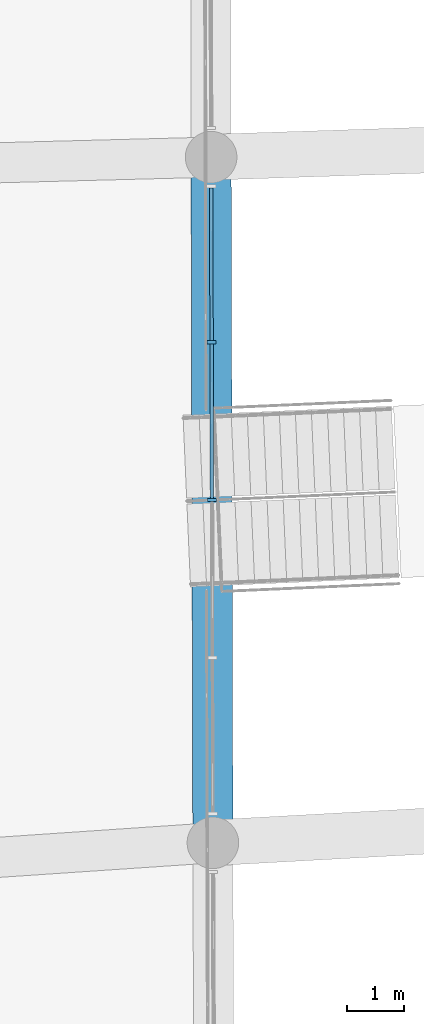
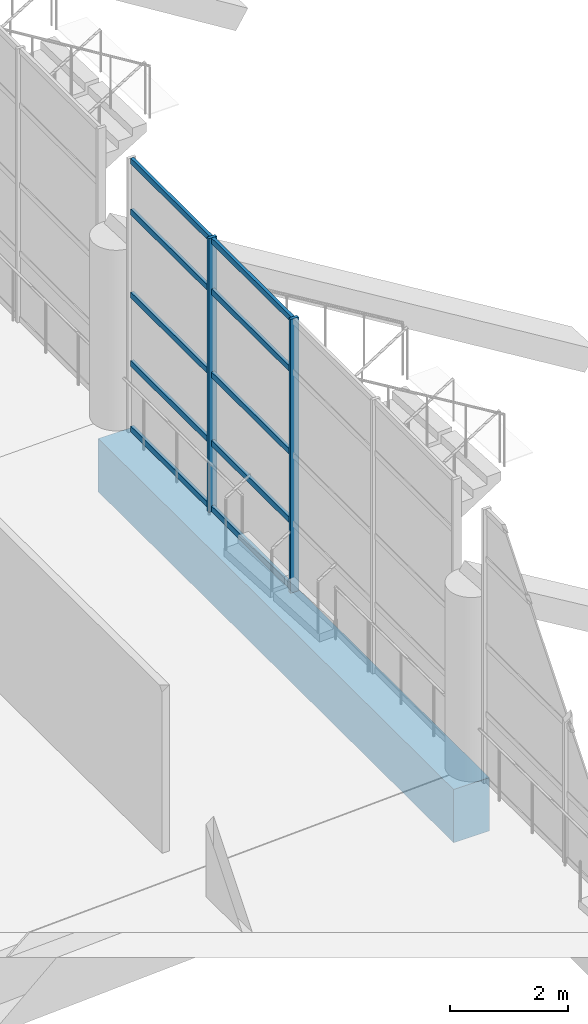
# One storey, part 8 of 173: 12 members, 1 beam, 1 element without a shape of its own.
"""IFC4 building model written with IfcOpenShell, lengths in metres."""

from ifc_helpers import new_model, si_unit, direction, frame, origin, origin_2d, place, context, subcontext, project, spatial, rectangle, extrude, material, layer, layer_set, material_profile, profile_set, type_object, element, aggregate, save


model = new_model("IFC4")

# Units and contexts
model_context = context("Model", 3, precision=1e-05, world=origin(), true_north=direction((0.0, 1.0)))
body_context = subcontext(model_context, "Body", "Model", "MODEL_VIEW")
ifc_project = project(units=[si_unit("LENGTHUNIT", "METRE"), si_unit("AREAUNIT", "SQUARE_METRE"), si_unit("VOLUMEUNIT", "CUBIC_METRE"), si_unit("PLANEANGLEUNIT", "RADIAN"), si_unit("MASSUNIT", "GRAM", prefix="KILO")], contexts=[model_context])

# Site, building, storey
site_placement = place(None, origin())
site = spatial("IfcSite", under=ifc_project, at=site_placement, CompositionType="ELEMENT")
building_placement = place(site_placement, origin())
building = spatial("IfcBuilding", under=site, at=building_placement, Name="Meseta Stadium", CompositionType="ELEMENT")
storey_placement = place(building_placement, frame((0.0, 0.0, 18.0)))
storey = spatial("IfcBuildingStorey", under=building, at=storey_placement, Name="L03", CompositionType="ELEMENT", Elevation=18.0)

# Curtain wall, members
ifc_material_1 = material(Name="Aluminium", Category="aluminium")
ifc_layer = layer(ifc_material_1, 0.25)
ifc_layer_set = layer_set([ifc_layer], Name="Media Centre glazing curtain wall")
curtain_wall_type = type_object("IfcCurtainWallType", Name="Media Centre glazing curtain wall", PredefinedType="NOTDEFINED", material=ifc_layer_set)
curtain_wall_placement = place(storey_placement, origin())
curtain_wall = element("IfcCurtainWall", 1, at=curtain_wall_placement, inside=storey, type_object=curtain_wall_type, Name="Media Centre glazing bay 34", PredefinedType="NOTDEFINED")
ifc_material_2 = material(Name="Aluminium", Category="aluminium")
ifc_material_profile_1 = material_profile(ifc_material_2, rectangle(XDim=0.159912109375, YDim=0.06005859375, at=origin_2d()), Name="CW 160x60")
ifc_profile_set_1 = profile_set([ifc_material_profile_1], Name="Aluminium")
member_type_1 = type_object("IfcMemberType", Name="CW mullion 60x160", PredefinedType="MULLION", material=ifc_profile_set_1)
member_1_placement = place(storey_placement, frame((-73.47412109375, -21.173095703125, 0.0), z_axis=(0.0, 0.0, 1.0), x_axis=(0.999996605564, 0.002605544184, 0.0)))
member_1 = element("IfcMember", 2, at=member_1_placement, type_object=member_type_1, Name="CWM mullion 2", PredefinedType="MULLION", context=body_context, shape_type="SweptSolid", body=[
    extrude(rectangle(XDim=0.159912109375, YDim=0.06005859375, at=origin_2d()), origin(), (0.0, 0.0, 1.0), 5.64990234375),
])
member_2_placement = place(storey_placement, frame((-73.466796875, -23.923583984375, 0.0), z_axis=(0.0, 0.0, 1.0), x_axis=(0.999996605564, 0.002605544184, 0.0)))
member_2 = element("IfcMember", 3, at=member_2_placement, type_object=member_type_1, Name="CWM mullion 3", PredefinedType="MULLION", context=body_context, shape_type="SweptSolid", body=[
    extrude(rectangle(XDim=0.159912109375, YDim=0.06005859375, at=origin_2d()), origin(), (0.0, 0.0, 1.0), 5.64990234375),
])
ifc_material_3 = material(Name="Aluminium", Category="aluminium")
ifc_material_profile_2 = material_profile(ifc_material_3, rectangle(XDim=0.06005859375, YDim=0.1201171875, at=origin_2d()), Name="CW 60x120")
ifc_profile_set_2 = profile_set([ifc_material_profile_2], Name="Aluminium")
member_type_2 = type_object("IfcMemberType", Name="CW transom 60x120", PredefinedType="USERDEFINED", material=ifc_profile_set_2)
member_3_placement = place(storey_placement, frame((-73.48095703125, -18.482666015625, 0.06005859375), z_axis=(0.002569506063, -0.999996698814, 0.0), x_axis=(0.999996698814, 0.002569506063, 0.0)))
member_3 = element("IfcMember", 4, at=member_3_placement, type_object=member_type_2, Name="CWM transom 1.1", ObjectType="TRANSOM", PredefinedType="USERDEFINED", context=body_context, shape_type="SweptSolid", body=[
    extrude(rectangle(XDim=0.06005859375, YDim=0.1201171875, at=origin_2d()), origin(), (0.0, 0.0, 1.0), 2.660400390625),
])
member_4_placement = place(storey_placement, frame((-73.48095703125, -18.482666015625, 1.41259765625), z_axis=(0.002569506063, -0.999996698814, 0.0), x_axis=(0.999996698814, 0.002569506063, 0.0)))
member_4 = element("IfcMember", 5, at=member_4_placement, type_object=member_type_2, Name="CWM transom 1.2", ObjectType="TRANSOM", PredefinedType="USERDEFINED", context=body_context, shape_type="SweptSolid", body=[
    extrude(rectangle(XDim=0.06005859375, YDim=0.1201171875, at=origin_2d()), origin(), (0.0, 0.0, 1.0), 2.660400390625),
])
member_5_placement = place(storey_placement, frame((-73.48095703125, -18.482666015625, 2.824951171875), z_axis=(0.002569506063, -0.999996698814, 0.0), x_axis=(0.999996698814, 0.002569506063, 0.0)))
member_5 = element("IfcMember", 6, at=member_5_placement, type_object=member_type_2, Name="CWM transom 1.3", ObjectType="TRANSOM", PredefinedType="USERDEFINED", context=body_context, shape_type="SweptSolid", body=[
    extrude(rectangle(XDim=0.06005859375, YDim=0.1201171875, at=origin_2d()), origin(), (0.0, 0.0, 1.0), 2.660400390625),
])
member_6_placement = place(storey_placement, frame((-73.48095703125, -18.482666015625, 4.53857421875), z_axis=(0.002569506063, -0.999996698814, 0.0), x_axis=(0.999996698814, 0.002569506063, 0.0)))
member_6 = element("IfcMember", 7, at=member_6_placement, type_object=member_type_2, Name="CWM transom 1.4", ObjectType="TRANSOM", PredefinedType="USERDEFINED", context=body_context, shape_type="SweptSolid", body=[
    extrude(rectangle(XDim=0.06005859375, YDim=0.1201171875, at=origin_2d()), origin(), (0.0, 0.0, 1.0), 2.660400390625),
])
member_7_placement = place(storey_placement, frame((-73.48095703125, -18.482666015625, 5.590087890625), z_axis=(0.002569506063, -0.999996698814, 0.0), x_axis=(0.999996698814, 0.002569506063, 0.0)))
member_7 = element("IfcMember", 8, at=member_7_placement, type_object=member_type_2, Name="CWM transom 1.5", ObjectType="TRANSOM", PredefinedType="USERDEFINED", context=body_context, shape_type="SweptSolid", body=[
    extrude(rectangle(XDim=0.06005859375, YDim=0.1201171875, at=origin_2d()), origin(), (0.0, 0.0, 1.0), 2.660400390625),
])
member_8_placement = place(storey_placement, frame((-73.473876953125, -21.203125, 0.06005859375), z_axis=(0.002540826644, -0.999996772095, 0.0), x_axis=(0.999996772095, 0.002540826644, 0.0)))
member_8 = element("IfcMember", 9, at=member_8_placement, type_object=member_type_2, Name="CWM transom 2.1", ObjectType="TRANSOM", PredefinedType="USERDEFINED", context=body_context, shape_type="SweptSolid", body=[
    extrude(rectangle(XDim=0.06005859375, YDim=0.1201171875, at=origin_2d()), origin(), (0.0, 0.0, 1.0), 2.6904296875),
])
member_9_placement = place(storey_placement, frame((-73.473876953125, -21.203125, 1.41259765625), z_axis=(0.002540826644, -0.999996772095, 0.0), x_axis=(0.999996772095, 0.002540826644, 0.0)))
member_9 = element("IfcMember", 10, at=member_9_placement, type_object=member_type_2, Name="CWM transom 2.2", ObjectType="TRANSOM", PredefinedType="USERDEFINED", context=body_context, shape_type="SweptSolid", body=[
    extrude(rectangle(XDim=0.06005859375, YDim=0.1201171875, at=origin_2d()), origin(), (0.0, 0.0, 1.0), 2.6904296875),
])
member_10_placement = place(storey_placement, frame((-73.473876953125, -21.203125, 2.824951171875), z_axis=(0.002540826644, -0.999996772095, 0.0), x_axis=(0.999996772095, 0.002540826644, 0.0)))
member_10 = element("IfcMember", 11, at=member_10_placement, type_object=member_type_2, Name="CWM transom 2.3", ObjectType="TRANSOM", PredefinedType="USERDEFINED", context=body_context, shape_type="SweptSolid", body=[
    extrude(rectangle(XDim=0.06005859375, YDim=0.1201171875, at=origin_2d()), origin(), (0.0, 0.0, 1.0), 2.6904296875),
])
member_11_placement = place(storey_placement, frame((-73.473876953125, -21.203125, 4.53857421875), z_axis=(0.002540826644, -0.999996772095, 0.0), x_axis=(0.999996772095, 0.002540826644, 0.0)))
member_11 = element("IfcMember", 12, at=member_11_placement, type_object=member_type_2, Name="CWM transom 2.4", ObjectType="TRANSOM", PredefinedType="USERDEFINED", context=body_context, shape_type="SweptSolid", body=[
    extrude(rectangle(XDim=0.06005859375, YDim=0.1201171875, at=origin_2d()), origin(), (0.0, 0.0, 1.0), 2.6904296875),
])
member_12_placement = place(storey_placement, frame((-73.473876953125, -21.203125, 5.590087890625), z_axis=(0.002540826644, -0.999996772095, 0.0), x_axis=(0.999996772095, 0.002540826644, 0.0)))
member_12 = element("IfcMember", 13, at=member_12_placement, type_object=member_type_2, Name="CWM transom 2.5", ObjectType="TRANSOM", PredefinedType="USERDEFINED", context=body_context, shape_type="SweptSolid", body=[
    extrude(rectangle(XDim=0.06005859375, YDim=0.1201171875, at=origin_2d()), origin(), (0.0, 0.0, 1.0), 2.6904296875),
])
aggregate(curtain_wall, [member_1, member_2, member_3, member_4, member_5, member_6, member_7, member_8, member_9, member_10, member_11, member_12])

# Beam
ifc_material_4 = material(Name="Concrete C40/50", Category="concrete")
ifc_material_profile_3 = material_profile(ifc_material_4, rectangle(XDim=0.699951171875, YDim=1.10009765625, at=origin_2d()), Name="RC 700x1100")
ifc_profile_set_3 = profile_set([ifc_material_profile_3], Name="Concrete C40/50")
beam_type = type_object("IfcBeamType", Name="RC beam 700x1100", PredefinedType="BEAM", material=ifc_profile_set_3)
beam_placement = place(storey_placement, frame((-73.482421875, -17.943603515625, -0.89990234375), z_axis=(0.002592357078, -0.999996639837, 0.0), x_axis=(0.999996639837, 0.002592357078, 0.0)))
element("IfcBeam", 14, at=beam_placement, inside=storey, type_object=beam_type, Name="L03 ring beam frame 34 line E", PredefinedType="BEAM", context=body_context, shape_type="SweptSolid", body=[
    extrude(rectangle(XDim=0.699951171875, YDim=1.10009765625, at=origin_2d()), origin(), (0.0, 0.0, 1.0), 11.96044921875),
])

save(model, "model.ifc")
